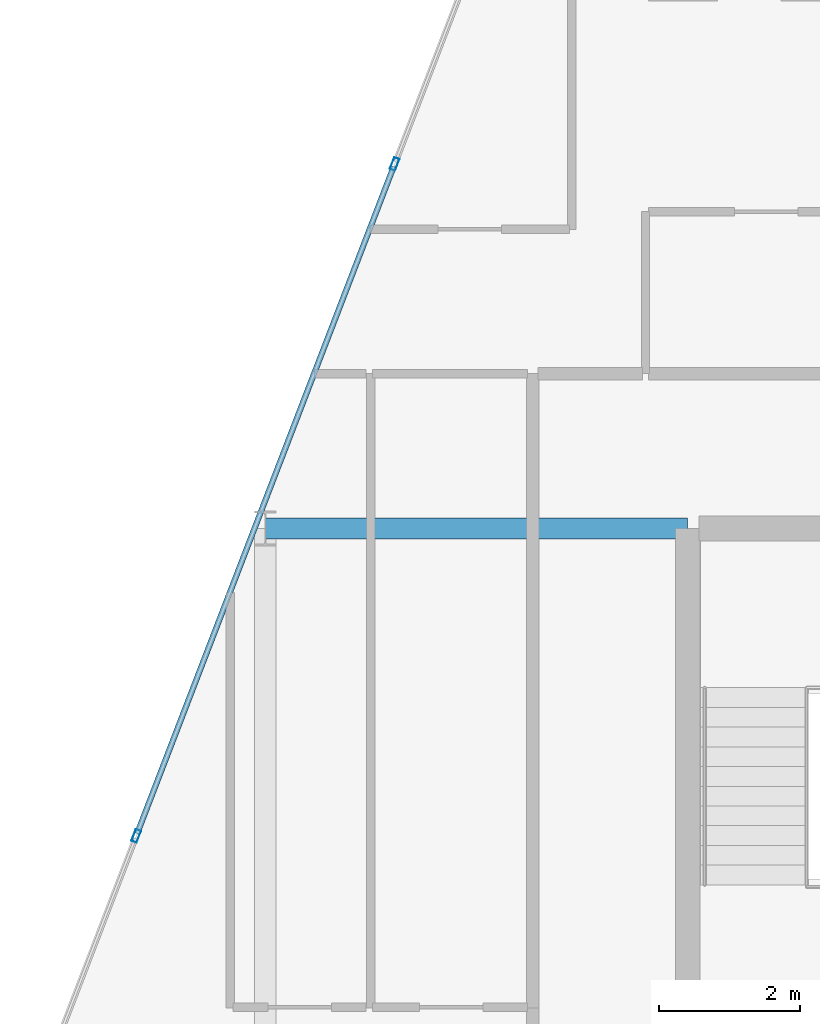
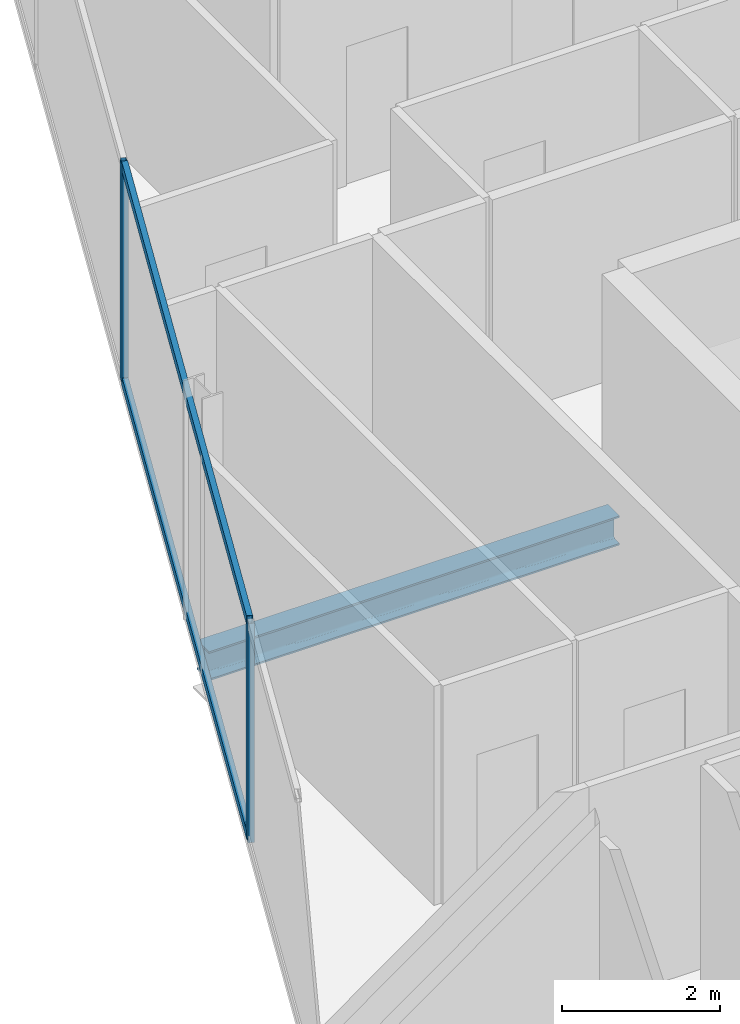
# One storey, part 15 of 31: 4 members, 1 beam, 1 element without a shape of its own.
"""IFC4 building model written with IfcOpenShell, lengths in metres."""

import ifcopenshell
import ifcopenshell.guid

model = None  # the IFC model being written
_history = None  # IfcOwnerHistory: only IFC2X3 demands one
_inside = {}  # id of a spatial element -> (the spatial element, [elements in it])
_under = {}  # id of a project, library or spatial element -> (it, [spatial elements below it])
_declared = {}  # id of a project -> (the project, [libraries it declares])
_typed = {}  # id of a type object -> (the type object, [elements of that type])
_made_of = {}  # id of a material, layer set ... -> (it, [elements and type objects made of it])


def new_model(schema):
    """Start an empty IFC model of exactly this schema.

    Asked for "IFC4X3", IfcOpenShell would pick the latest addendum, in which some entities
    have other attributes; the version numbers below select the first issue.
    IFC2X3 requires an IfcOwnerHistory on every rooted entity: one is made here for all.
    """
    global model, _history
    if schema == "IFC4X3":
        model = ifcopenshell.file(schema_version=(4, 3, 0, 0))
    else:
        model = ifcopenshell.file(schema=schema)
    _inside.clear()
    _under.clear()
    _declared.clear()
    _typed.clear()
    _made_of.clear()
    _history = None
    if model.schema == "IFC2X3":
        org = make("IfcOrganization", Name="unknown")
        user = make(
            "IfcPersonAndOrganization",
            ThePerson=make("IfcPerson", FamilyName="unknown"),
            TheOrganization=org,
        )
        app = make(
            "IfcApplication",
            ApplicationDeveloper=org,
            Version="unknown",
            ApplicationFullName="unknown",
            ApplicationIdentifier="unknown",
        )
        _history = make(
            "IfcOwnerHistory",
            OwningUser=user,
            OwningApplication=app,
            ChangeAction="ADDED",
            CreationDate=0,
        )
    return model


def make(cls, **values):
    """One entity of the class cls with the attributes given. An attribute that is None is left unset."""
    return model.create_entity(
        cls, **{name: value for name, value in values.items() if value is not None}
    )


def rooted(cls, **values):
    """An entity with a GlobalId (a new one), such as an element, a storey or a relation."""
    return make(cls, GlobalId=ifcopenshell.guid.new(), OwnerHistory=_history, **values)


def si_unit(unit_type, name, prefix=None):
    """IfcSIUnit, for example si_unit("LENGTHUNIT", "METRE", prefix="MILLI")."""
    return make("IfcSIUnit", UnitType=unit_type, Prefix=prefix, Name=name)


def assignment(units):
    """IfcUnitAssignment: the units of a project."""
    return None if units is None else make("IfcUnitAssignment", Units=units)


def point(xyz):
    """IfcCartesianPoint."""
    return None if xyz is None else make("IfcCartesianPoint", Coordinates=xyz)


def direction(xyz):
    """IfcDirection."""
    return None if xyz is None else make("IfcDirection", DirectionRatios=xyz)


def frame(location, z_axis=None, x_axis=None):
    """IfcAxis2Placement3D, a coordinate frame: its origin and axes. An axis left out is left unset."""
    return make(
        "IfcAxis2Placement3D",
        Location=point(location),
        Axis=direction(z_axis),
        RefDirection=direction(x_axis),
    )


def frame_2d(location, x_axis=None):
    """IfcAxis2Placement2D, a coordinate frame in the plane: its origin and x axis."""
    return make(
        "IfcAxis2Placement2D", Location=point(location), RefDirection=direction(x_axis)
    )


def origin():
    """The frame at (0, 0, 0) with its axes left unset."""
    return frame((0.0, 0.0, 0.0))


def origin_2d():
    """The frame at (0, 0) in the plane with its x axis left unset."""
    return frame_2d((0.0, 0.0))


def place(relative_to, where):
    """IfcLocalPlacement: puts the frame where relative to a parent placement (None: the world)."""
    return make(
        "IfcLocalPlacement", PlacementRelTo=relative_to, RelativePlacement=where
    )


def context(
    kind, dimensions, precision=None, world=None, true_north=None, identifier=None
):
    """IfcGeometricRepresentationContext, for example the 3D "Model" context."""
    return make(
        "IfcGeometricRepresentationContext",
        ContextIdentifier=identifier,
        ContextType=kind,
        CoordinateSpaceDimension=dimensions,
        Precision=precision,
        WorldCoordinateSystem=world,
        TrueNorth=true_north,
    )


def subcontext(parent, identifier, kind, view, scale=None):
    """IfcGeometricRepresentationSubContext, for example "Body" below "Model"."""
    return make(
        "IfcGeometricRepresentationSubContext",
        ContextIdentifier=identifier,
        ContextType=kind,
        ParentContext=parent,
        TargetScale=scale,
        TargetView=view,
    )


def project(units=None, contexts=None):
    """IfcProject with its units and contexts."""
    return rooted(
        "IfcProject",
        Name="project",
        RepresentationContexts=contexts,
        UnitsInContext=assignment(units),
    )


def spatial(cls, under=None, at=None, **own):
    """A site, building, storey or space (cls), placed at a placement, below another one or the project."""
    s = rooted(cls, ObjectPlacement=at, **own)
    if under is not None:
        _under.setdefault(under.id(), (under, []))[1].append(s)
    return s


def profile(cls, at=None, kind="AREA", **sizes):
    """A parametric profile (cls). Its sizes go by their IFC names, for example OverallWidth=200.0."""
    return make(cls, ProfileType=kind, Position=at, **sizes)


def hollow_rectangle(**sizes):
    """IfcRectangleHollowProfileDef."""
    return profile("IfcRectangleHollowProfileDef", **sizes)


def i_section(**sizes):
    """IfcIShapeProfileDef."""
    return profile("IfcIShapeProfileDef", **sizes)


def extrude(swept, where, along, depth):
    """IfcExtrudedAreaSolid: the profile swept, set in the frame where, extruded along a direction by depth."""
    return make(
        "IfcExtrudedAreaSolid",
        SweptArea=swept,
        Position=where,
        ExtrudedDirection=direction(along),
        Depth=depth,
    )


def shape(context_of_items, identifier, shape_type, items):
    """IfcShapeRepresentation: the items that make up one representation, for example the "Body"."""
    return make(
        "IfcShapeRepresentation",
        ContextOfItems=context_of_items,
        RepresentationIdentifier=identifier,
        RepresentationType=shape_type,
        Items=items,
    )


def material(Name=None, Category=None):
    """IfcMaterial."""
    return make("IfcMaterial", Name=Name, Category=Category)


def layer(
    of_material, thickness, ventilated=None, Name=None, Category=None, Priority=None
):
    """IfcMaterialLayer: one layer of a wall or slab, of a material (None: an air gap)."""
    return make(
        "IfcMaterialLayer",
        Material=of_material,
        LayerThickness=thickness,
        IsVentilated=ventilated,
        Name=Name,
        Category=Category,
        Priority=Priority,
    )


def layer_set(layers, Name=None):
    """IfcMaterialLayerSet."""
    return make("IfcMaterialLayerSet", MaterialLayers=layers, LayerSetName=Name)


def material_profile(
    of_material, cross_section, Name=None, Category=None, Priority=None
):
    """IfcMaterialProfile: a cross section and its material."""
    return make(
        "IfcMaterialProfile",
        Name=Name,
        Material=of_material,
        Profile=cross_section,
        Priority=Priority,
        Category=Category,
    )


def profile_set(profiles, Name=None, composite=None):
    """IfcMaterialProfileSet."""
    return make(
        "IfcMaterialProfileSet",
        Name=Name,
        MaterialProfiles=profiles,
        CompositeProfile=composite,
    )


def made_of(thing, what):
    """Note that an element or type object is made of a material, layer set ...; save() writes the relation."""
    if what is not None:
        _made_of.setdefault(what.id(), (what, []))[1].append(thing)
    return thing


def type_object(cls, material=None, **own):
    """A type object (cls), such as IfcWallType, which elements share."""
    return made_of(rooted(cls, **own), material)


def element(
    cls,
    number,
    at=None,
    inside=None,
    cuts=None,
    type_object=None,
    material=None,
    context=None,
    identifier="Body",
    shape_type=None,
    held_by="IfcProductDefinitionShape",
    body=None,
    shapes=None,
    **own,
):
    """One element of the class cls, such as IfcWall. Its Tag is "e" and its number.

    at: its placement. inside: the storey or other place that contains it. cuts: it is an
    opening in that element (IfcRelVoidsElement). A single representation is given by context,
    identifier, shape_type and body (its items); several are given by shapes. held_by: the class
    of the entity that holds the representations. save() writes the other relations.
    """
    e = rooted(cls, Tag="e%d" % number, ObjectPlacement=at, **own)
    if body is not None:
        shapes = [shape(context, identifier, shape_type, body)]
    if shapes is not None:
        e.Representation = make(held_by, Representations=shapes)
    if inside is not None:
        _inside.setdefault(inside.id(), (inside, []))[1].append(e)
    if cuts is not None:
        rooted(
            "IfcRelVoidsElement", RelatingBuildingElement=cuts, RelatedOpeningElement=e
        )
    if type_object is not None:
        _typed.setdefault(type_object.id(), (type_object, []))[1].append(e)
    return made_of(e, material)


def aggregate(whole, parts):
    """IfcRelAggregates: a whole, such as a stair, and the parts it consists of."""
    return rooted("IfcRelAggregates", RelatingObject=whole, RelatedObjects=parts)


def save(model, path):
    """Write the relations noted so far, then the file.

    IfcRelAggregates (storeys below a building ...), IfcRelContainedInSpatialStructure (elements
    in a storey), IfcRelDefinesByType, IfcRelAssociatesMaterial and IfcRelDeclares: one each for
    every whole, place, type object, material and project.
    """
    for whole, parts in _under.values():
        aggregate(whole, parts)
    for where, things in _inside.values():
        rooted(
            "IfcRelContainedInSpatialStructure",
            RelatedElements=things,
            RelatingStructure=where,
        )
    for kind, things in _typed.values():
        rooted("IfcRelDefinesByType", RelatedObjects=things, RelatingType=kind)
    for what, things in _made_of.values():
        rooted("IfcRelAssociatesMaterial", RelatedObjects=things, RelatingMaterial=what)
    for by, libraries in _declared.values():
        rooted("IfcRelDeclares", RelatingContext=by, RelatedDefinitions=libraries)
    model.write(path)


model = new_model("IFC4")

# Units and contexts
model_context = context("Model", 3, precision=1e-05, world=origin(), true_north=direction((0.0, 1.0)))
body_context = subcontext(model_context, "Body", "Model", "MODEL_VIEW")
ifc_project = project(units=[si_unit("LENGTHUNIT", "METRE"), si_unit("AREAUNIT", "SQUARE_METRE"), si_unit("VOLUMEUNIT", "CUBIC_METRE"), si_unit("PLANEANGLEUNIT", "RADIAN"), si_unit("MASSUNIT", "GRAM", prefix="KILO")], contexts=[model_context])

# Site, building, storey
site_placement = place(None, origin())
site = spatial("IfcSite", under=ifc_project, at=site_placement, CompositionType="ELEMENT")
building_placement = place(site_placement, origin())
building = spatial("IfcBuilding", under=site, at=building_placement, Name="Keshet Zoharim Tower", CompositionType="ELEMENT")
storey_placement = place(building_placement, frame((0.0, 0.0, 144.60009765625)))
storey = spatial("IfcBuildingStorey", under=building, at=storey_placement, Name="L35", CompositionType="ELEMENT", Elevation=144.60009765625)

# Beam
ifc_material_1 = material(Name="Steel S355", Category="steel")
ifc_material_profile_1 = material_profile(ifc_material_1, i_section(OverallWidth=0.300048828125, OverallDepth=0.449951171875, WebThickness=0.013916015625, FlangeThickness=0.02587890625, FilletRadius=0.027099609375, at=origin_2d()), Name="HEB450")
ifc_profile_set_1 = profile_set([ifc_material_profile_1], Name="Steel S355")
beam_type = type_object("IfcBeamType", Name="BM-WEB-HB450", PredefinedType="BEAM", material=ifc_profile_set_1)
beam_placement = place(storey_placement, frame((9.0, 37.89990234375, -0.5400390625), z_axis=(1.0, 0.0, 0.0), x_axis=(0.0, 1.0, 0.0)))
element("IfcBeam", 1, at=beam_placement, inside=storey, type_object=beam_type, Name="L35 Primary Girder X-018", PredefinedType="BEAM", context=body_context, shape_type="SweptSolid", body=[
    extrude(i_section(OverallWidth=0.300048828125, OverallDepth=0.449951171875, WebThickness=0.013916015625, FlangeThickness=0.02587890625, FilletRadius=0.027099609375, at=origin_2d()), origin(), (0.0, 0.0, 1.0), 6.0),
])

# Curtain wall, members
ifc_material_2 = material(Name="Aluminium 6063-T6", Category="aluminium")
ifc_layer = layer(ifc_material_2, 0.159912109375)
ifc_layer_set = layer_set([ifc_layer], Name="Aluminium 6063-T6")
curtain_wall_type = type_object("IfcCurtainWallType", Name="CW-SYS-03", PredefinedType="NOTDEFINED", material=ifc_layer_set)
curtain_wall_placement = place(storey_placement, origin())
curtain_wall = element("IfcCurtainWall", 2, at=curtain_wall_placement, inside=storey, type_object=curtain_wall_type, Name="L35 Unitised Curtain Wall 10", PredefinedType="NOTDEFINED")
ifc_material_profile_2 = material_profile(ifc_material_2, hollow_rectangle(XDim=0.080078125, YDim=0.179931640625, WallThickness=0.00439453125, at=origin_2d()), Name="MUL-80x180")
ifc_profile_set_2 = profile_set([ifc_material_profile_2], Name="Aluminium 6063-T6")
member_type_1 = type_object("IfcMemberType", Name="CWM-M18", PredefinedType="MULLION", material=ifc_profile_set_2)
member_1_placement = place(storey_placement, frame((7.1669921875, 33.53466796875, 0.0), z_axis=(0.0, 0.0, 1.0), x_axis=(-0.933341404361, 0.358990003907, 0.0)))
member_1 = element("IfcMember", 3, at=member_1_placement, type_object=member_type_1, Name="CW-03 mullion 2", PredefinedType="MULLION", context=body_context, shape_type="SweptSolid", body=[
    extrude(hollow_rectangle(XDim=0.080078125, YDim=0.179931640625, WallThickness=0.00439453125, at=origin_2d()), origin(), (0.0, 0.0, 1.0), 3.385009765625),
])
member_2_placement = place(storey_placement, frame((10.8369140625, 43.076416015625, 0.0), z_axis=(0.0, 0.0, 1.0), x_axis=(-0.933341404361, 0.358990003907, 0.0)))
member_2 = element("IfcMember", 4, at=member_2_placement, type_object=member_type_1, Name="CW-03 mullion 3", PredefinedType="MULLION", context=body_context, shape_type="SweptSolid", body=[
    extrude(hollow_rectangle(XDim=0.080078125, YDim=0.179931640625, WallThickness=0.00439453125, at=origin_2d()), origin(), (0.0, 0.0, 1.0), 3.385009765625),
])
ifc_material_profile_3 = material_profile(ifc_material_2, hollow_rectangle(XDim=0.080078125, YDim=0.139892578125, WallThickness=0.00390625, at=origin_2d()), Name="TRN-80x140")
ifc_profile_set_3 = profile_set([ifc_material_profile_3], Name="Aluminium 6063-T6")
member_type_2 = type_object("IfcMemberType", Name="CWT-T14", PredefinedType="USERDEFINED", material=ifc_profile_set_3)
member_3_placement = place(storey_placement, frame((7.179443359375, 33.5673828125, 0.034912109375), z_axis=(0.359003248899, 0.933336309848, 0.0), x_axis=(-0.933336309848, 0.359003248899, 0.0)))
member_3 = element("IfcMember", 5, at=member_3_placement, type_object=member_type_2, Name="CW-03 transom 2.1", ObjectType="TRANSOM", PredefinedType="USERDEFINED", context=body_context, shape_type="SweptSolid", body=[
    extrude(hollow_rectangle(XDim=0.080078125, YDim=0.139892578125, WallThickness=0.00390625, at=origin_2d()), origin(), (0.0, 0.0, 1.0), 10.153076171875),
])
member_4_placement = place(storey_placement, frame((7.179443359375, 33.5673828125, 3.349853515625), z_axis=(0.359003248899, 0.933336309848, 0.0), x_axis=(-0.933336309848, 0.359003248899, 0.0)))
member_4 = element("IfcMember", 6, at=member_4_placement, type_object=member_type_2, Name="CW-03 transom 2.2", ObjectType="TRANSOM", PredefinedType="USERDEFINED", context=body_context, shape_type="SweptSolid", body=[
    extrude(hollow_rectangle(XDim=0.080078125, YDim=0.139892578125, WallThickness=0.00390625, at=origin_2d()), origin(), (0.0, 0.0, 1.0), 10.153076171875),
])
aggregate(curtain_wall, [member_1, member_2, member_3, member_4])

save(model, "model.ifc")
